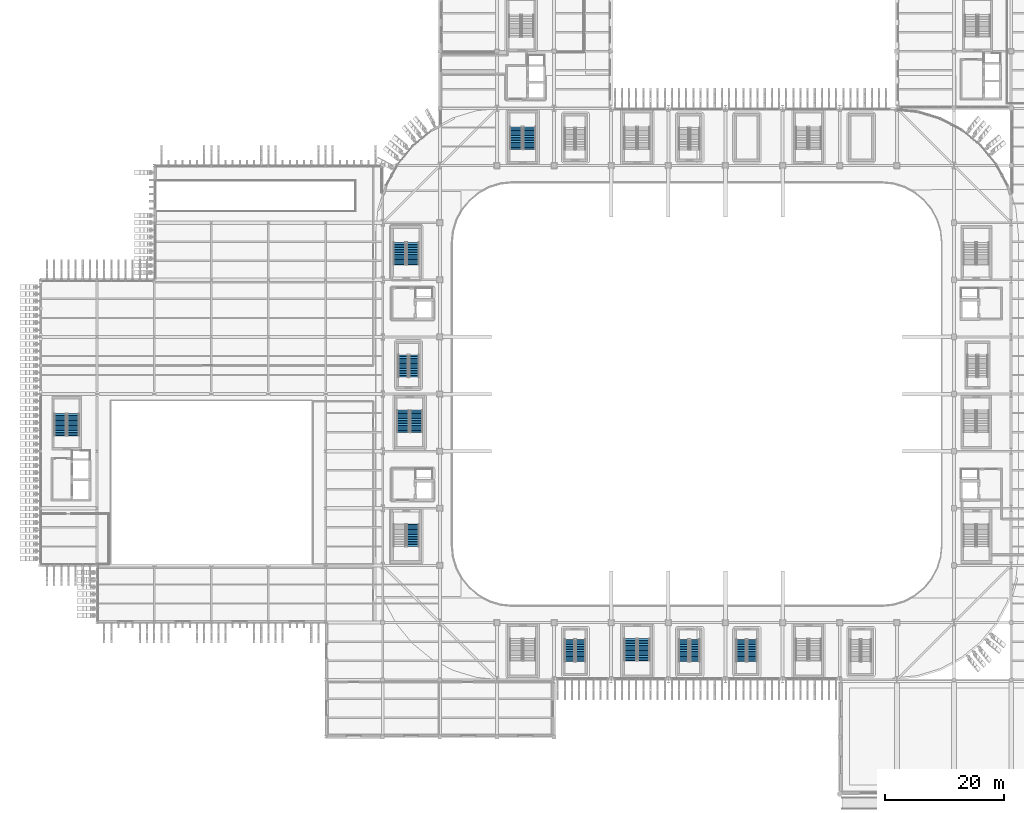
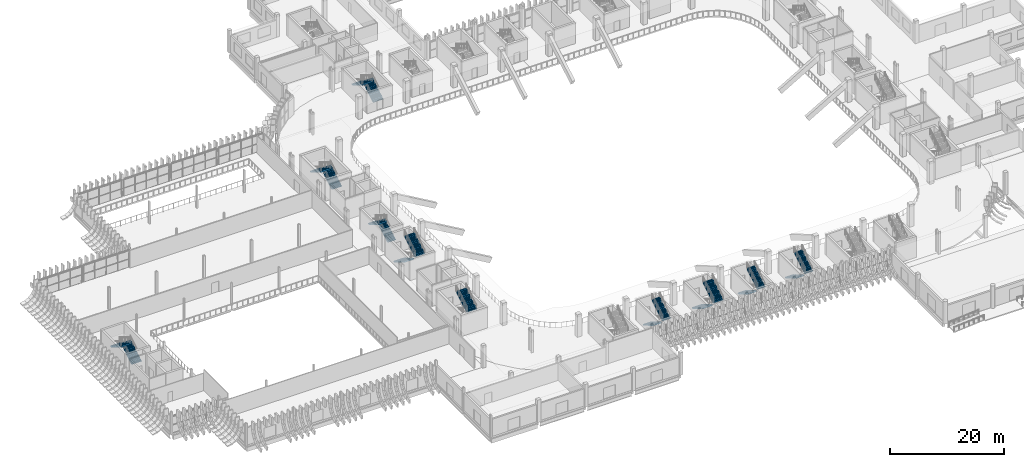
# One storey, part 61 of 100: 19 stair flights, 10 elements without a shape of their own.
"""IFC4 building model written with IfcOpenShell, lengths in metres."""

import ifcopenshell
import ifcopenshell.guid

model = None  # the IFC model being written
_history = None  # IfcOwnerHistory: only IFC2X3 demands one
_inside = {}  # id of a spatial element -> (the spatial element, [elements in it])
_under = {}  # id of a project, library or spatial element -> (it, [spatial elements below it])
_declared = {}  # id of a project -> (the project, [libraries it declares])
_typed = {}  # id of a type object -> (the type object, [elements of that type])
_made_of = {}  # id of a material, layer set ... -> (it, [elements and type objects made of it])


def new_model(schema):
    """Start an empty IFC model of exactly this schema.

    Asked for "IFC4X3", IfcOpenShell would pick the latest addendum, in which some entities
    have other attributes; the version numbers below select the first issue.
    IFC2X3 requires an IfcOwnerHistory on every rooted entity: one is made here for all.
    """
    global model, _history
    if schema == "IFC4X3":
        model = ifcopenshell.file(schema_version=(4, 3, 0, 0))
    else:
        model = ifcopenshell.file(schema=schema)
    _inside.clear()
    _under.clear()
    _declared.clear()
    _typed.clear()
    _made_of.clear()
    _history = None
    if model.schema == "IFC2X3":
        org = make("IfcOrganization", Name="unknown")
        user = make(
            "IfcPersonAndOrganization",
            ThePerson=make("IfcPerson", FamilyName="unknown"),
            TheOrganization=org,
        )
        app = make(
            "IfcApplication",
            ApplicationDeveloper=org,
            Version="unknown",
            ApplicationFullName="unknown",
            ApplicationIdentifier="unknown",
        )
        _history = make(
            "IfcOwnerHistory",
            OwningUser=user,
            OwningApplication=app,
            ChangeAction="ADDED",
            CreationDate=0,
        )
    return model


def make(cls, **values):
    """One entity of the class cls with the attributes given. An attribute that is None is left unset."""
    return model.create_entity(
        cls, **{name: value for name, value in values.items() if value is not None}
    )


def rooted(cls, **values):
    """An entity with a GlobalId (a new one), such as an element, a storey or a relation."""
    return make(cls, GlobalId=ifcopenshell.guid.new(), OwnerHistory=_history, **values)


def si_unit(unit_type, name, prefix=None):
    """IfcSIUnit, for example si_unit("LENGTHUNIT", "METRE", prefix="MILLI")."""
    return make("IfcSIUnit", UnitType=unit_type, Prefix=prefix, Name=name)


def assignment(units):
    """IfcUnitAssignment: the units of a project."""
    return None if units is None else make("IfcUnitAssignment", Units=units)


def point(xyz):
    """IfcCartesianPoint."""
    return None if xyz is None else make("IfcCartesianPoint", Coordinates=xyz)


def direction(xyz):
    """IfcDirection."""
    return None if xyz is None else make("IfcDirection", DirectionRatios=xyz)


def frame(location, z_axis=None, x_axis=None):
    """IfcAxis2Placement3D, a coordinate frame: its origin and axes. An axis left out is left unset."""
    return make(
        "IfcAxis2Placement3D",
        Location=point(location),
        Axis=direction(z_axis),
        RefDirection=direction(x_axis),
    )


def origin():
    """The frame at (0, 0, 0) with its axes left unset."""
    return frame((0.0, 0.0, 0.0))


def place(relative_to, where):
    """IfcLocalPlacement: puts the frame where relative to a parent placement (None: the world)."""
    return make(
        "IfcLocalPlacement", PlacementRelTo=relative_to, RelativePlacement=where
    )


def context(
    kind, dimensions, precision=None, world=None, true_north=None, identifier=None
):
    """IfcGeometricRepresentationContext, for example the 3D "Model" context."""
    return make(
        "IfcGeometricRepresentationContext",
        ContextIdentifier=identifier,
        ContextType=kind,
        CoordinateSpaceDimension=dimensions,
        Precision=precision,
        WorldCoordinateSystem=world,
        TrueNorth=true_north,
    )


def subcontext(parent, identifier, kind, view, scale=None):
    """IfcGeometricRepresentationSubContext, for example "Body" below "Model"."""
    return make(
        "IfcGeometricRepresentationSubContext",
        ContextIdentifier=identifier,
        ContextType=kind,
        ParentContext=parent,
        TargetScale=scale,
        TargetView=view,
    )


def project(units=None, contexts=None):
    """IfcProject with its units and contexts."""
    return rooted(
        "IfcProject",
        Name="project",
        RepresentationContexts=contexts,
        UnitsInContext=assignment(units),
    )


def spatial(cls, under=None, at=None, **own):
    """A site, building, storey or space (cls), placed at a placement, below another one or the project."""
    s = rooted(cls, ObjectPlacement=at, **own)
    if under is not None:
        _under.setdefault(under.id(), (under, []))[1].append(s)
    return s


def polyline(points):
    """IfcPolyline through the points."""
    return make("IfcPolyline", Points=[point(p) for p in points])


def outline(outer, holes=None, kind="AREA"):
    """IfcArbitraryClosedProfileDef: a profile drawn as a closed curve; with holes, ...WithVoids."""
    if holes is None:
        return make("IfcArbitraryClosedProfileDef", ProfileType=kind, OuterCurve=outer)
    return make(
        "IfcArbitraryProfileDefWithVoids",
        ProfileType=kind,
        OuterCurve=outer,
        InnerCurves=holes,
    )


def extrude(swept, where, along, depth):
    """IfcExtrudedAreaSolid: the profile swept, set in the frame where, extruded along a direction by depth."""
    return make(
        "IfcExtrudedAreaSolid",
        SweptArea=swept,
        Position=where,
        ExtrudedDirection=direction(along),
        Depth=depth,
    )


def shape(context_of_items, identifier, shape_type, items):
    """IfcShapeRepresentation: the items that make up one representation, for example the "Body"."""
    return make(
        "IfcShapeRepresentation",
        ContextOfItems=context_of_items,
        RepresentationIdentifier=identifier,
        RepresentationType=shape_type,
        Items=items,
    )


def material(Name=None, Category=None):
    """IfcMaterial."""
    return make("IfcMaterial", Name=Name, Category=Category)


def made_of(thing, what):
    """Note that an element or type object is made of a material, layer set ...; save() writes the relation."""
    if what is not None:
        _made_of.setdefault(what.id(), (what, []))[1].append(thing)
    return thing


def type_object(cls, material=None, **own):
    """A type object (cls), such as IfcWallType, which elements share."""
    return made_of(rooted(cls, **own), material)


def element(
    cls,
    number,
    at=None,
    inside=None,
    cuts=None,
    type_object=None,
    material=None,
    context=None,
    identifier="Body",
    shape_type=None,
    held_by="IfcProductDefinitionShape",
    body=None,
    shapes=None,
    **own,
):
    """One element of the class cls, such as IfcWall. Its Tag is "e" and its number.

    at: its placement. inside: the storey or other place that contains it. cuts: it is an
    opening in that element (IfcRelVoidsElement). A single representation is given by context,
    identifier, shape_type and body (its items); several are given by shapes. held_by: the class
    of the entity that holds the representations. save() writes the other relations.
    """
    e = rooted(cls, Tag="e%d" % number, ObjectPlacement=at, **own)
    if body is not None:
        shapes = [shape(context, identifier, shape_type, body)]
    if shapes is not None:
        e.Representation = make(held_by, Representations=shapes)
    if inside is not None:
        _inside.setdefault(inside.id(), (inside, []))[1].append(e)
    if cuts is not None:
        rooted(
            "IfcRelVoidsElement", RelatingBuildingElement=cuts, RelatedOpeningElement=e
        )
    if type_object is not None:
        _typed.setdefault(type_object.id(), (type_object, []))[1].append(e)
    return made_of(e, material)


def aggregate(whole, parts):
    """IfcRelAggregates: a whole, such as a stair, and the parts it consists of."""
    return rooted("IfcRelAggregates", RelatingObject=whole, RelatedObjects=parts)


def save(model, path):
    """Write the relations noted so far, then the file.

    IfcRelAggregates (storeys below a building ...), IfcRelContainedInSpatialStructure (elements
    in a storey), IfcRelDefinesByType, IfcRelAssociatesMaterial and IfcRelDeclares: one each for
    every whole, place, type object, material and project.
    """
    for whole, parts in _under.values():
        aggregate(whole, parts)
    for where, things in _inside.values():
        rooted(
            "IfcRelContainedInSpatialStructure",
            RelatedElements=things,
            RelatingStructure=where,
        )
    for kind, things in _typed.values():
        rooted("IfcRelDefinesByType", RelatedObjects=things, RelatingType=kind)
    for what, things in _made_of.values():
        rooted("IfcRelAssociatesMaterial", RelatedObjects=things, RelatingMaterial=what)
    for by, libraries in _declared.values():
        rooted("IfcRelDeclares", RelatingContext=by, RelatedDefinitions=libraries)
    model.write(path)


model = new_model("IFC4")

# Units and contexts
model_context = context("Model", 3, precision=1e-05, world=origin(), true_north=direction((0.0, 1.0)))
body_context = subcontext(model_context, "Body", "Model", "MODEL_VIEW")
ifc_project = project(units=[si_unit("LENGTHUNIT", "METRE"), si_unit("AREAUNIT", "SQUARE_METRE"), si_unit("VOLUMEUNIT", "CUBIC_METRE"), si_unit("PLANEANGLEUNIT", "RADIAN"), si_unit("MASSUNIT", "GRAM", prefix="KILO")], contexts=[model_context])

# Site, building, storey
site_placement = place(None, origin())
site = spatial("IfcSite", under=ifc_project, at=site_placement, CompositionType="ELEMENT")
building_placement = place(site_placement, origin())
building = spatial("IfcBuilding", under=site, at=building_placement, Name="Caelomonte Colonnade Arena", CompositionType="ELEMENT")
storey_placement = place(building_placement, origin())
storey = spatial("IfcBuildingStorey", under=building, at=storey_placement, Name="L00", CompositionType="ELEMENT", Elevation=0.0)

# Stair, stair flights
ifc_material_1 = material(Name="Concrete C40/50", Category="concrete")
stair_type_1 = type_object("IfcStairType", Name="INT-ST-CORE48", PredefinedType="HALF_TURN_STAIR", material=ifc_material_1)
stair_1_placement = place(storey_placement, origin())
stair_1 = element("IfcStair", 1, at=stair_1_placement, inside=storey, type_object=stair_type_1, Name="L00 Protected exit stair ST-09", PredefinedType="HALF_TURN_STAIR")
stair_flight_type_1 = type_object("IfcStairFlightType", Name="INT-SF-CORE48", PredefinedType="STRAIGHT", material=ifc_material_1)
stair_flight_1_placement = place(storey_placement, frame((61.02490234375, 64.5, 0.0), z_axis=(0.0, 0.0, 1.0), x_axis=(0.0, -1.0, 0.0)))
stair_flight_1 = element("IfcStairFlight", 2, at=stair_flight_1_placement, type_object=stair_flight_type_1, Name="ST-09 flight 1", NumberOfRisers=14, NumberOfTreads=13, PredefinedType="STRAIGHT", RiserHeight=0.171428571, TreadLength=0.285, context=body_context, shape_type="SweptSolid", body=[
    extrude(outline(polyline([(-0.02490234375, 0.0), (-0.02490234375, 0.102783203125), (0.0, 0.102783203125), (0.0, 0.17138671875), (0.284912109375, 0.17138671875), (0.284912109375, 0.3427734375), (0.570068359375, 0.3427734375), (0.570068359375, 0.514404296875), (0.85498046875, 0.514404296875), (0.85498046875, 0.685791015625), (1.139892578125, 0.685791015625), (1.139892578125, 0.857177734375), (1.425048828125, 0.857177734375), (1.425048828125, 1.028564453125), (1.7099609375, 1.028564453125), (1.7099609375, 1.199951171875), (1.9951171875, 1.199951171875), (1.9951171875, 1.371337890625), (2.280029296875, 1.371337890625), (2.280029296875, 1.54296875), (2.56494140625, 1.54296875), (2.56494140625, 1.71435546875), (2.85009765625, 1.71435546875), (2.85009765625, 1.8857421875), (3.135009765625, 1.8857421875), (3.135009765625, 2.05712890625), (3.419921875, 2.05712890625), (3.419921875, 2.228515625), (3.705078125, 2.228515625), (3.705078125, 2.39990234375), (3.72998046875, 2.39990234375), (3.72998046875, 2.0537109375), (0.290771484375, 0.0), (-0.02490234375, 0.0)])), frame((0.0, 1.02490234375, 0.0), z_axis=(0.0, -1.0, 0.0), x_axis=(1.0, 0.0, 0.0)), (0.0, 0.0, 1.0), 2.050048828125),
])
stair_flight_2_placement = place(storey_placement, frame((63.27490234375, 60.794921875, 2.39990234375), z_axis=(0.0, 0.0, 1.0), x_axis=(0.0, 1.0, 0.0)))
stair_flight_2 = element("IfcStairFlight", 3, at=stair_flight_2_placement, type_object=stair_flight_type_1, Name="ST-09 flight 2", NumberOfRisers=14, NumberOfTreads=13, PredefinedType="STRAIGHT", RiserHeight=0.171428571, TreadLength=0.285, context=body_context, shape_type="SweptSolid", body=[
    extrude(outline(polyline([(-0.02490234375, 0.0), (-0.02490234375, 0.102783203125), (0.0, 0.102783203125), (0.0, 0.17138671875), (0.284912109375, 0.17138671875), (0.284912109375, 0.3427734375), (0.570068359375, 0.3427734375), (0.570068359375, 0.514404296875), (0.85498046875, 0.514404296875), (0.85498046875, 0.685791015625), (1.139892578125, 0.685791015625), (1.139892578125, 0.857177734375), (1.425048828125, 0.857177734375), (1.425048828125, 1.028564453125), (1.7099609375, 1.028564453125), (1.7099609375, 1.199951171875), (1.9951171875, 1.199951171875), (1.9951171875, 1.371337890625), (2.280029296875, 1.371337890625), (2.280029296875, 1.54296875), (2.56494140625, 1.54296875), (2.56494140625, 1.71435546875), (2.85009765625, 1.71435546875), (2.85009765625, 1.8857421875), (3.135009765625, 1.8857421875), (3.135009765625, 2.05712890625), (3.419921875, 2.05712890625), (3.419921875, 2.228515625), (3.705078125, 2.228515625), (3.705078125, 2.39990234375), (3.72998046875, 2.39990234375), (3.72998046875, 2.0537109375), (0.290771484375, 0.0), (-0.02490234375, 0.0)])), frame((0.0, 1.02490234375, 0.0), z_axis=(0.0, -1.0, 0.0), x_axis=(1.0, 0.0, 0.0)), (0.0, 0.0, 1.0), 2.050048828125),
])
aggregate(stair_1, [stair_flight_1, stair_flight_2])

stair_2_placement = place(storey_placement, origin())
stair_2 = element("IfcStair", 4, at=stair_2_placement, inside=storey, type_object=stair_type_1, Name="L00 Protected exit stair ST-12", PredefinedType="HALF_TURN_STAIR")
stair_flight_3_placement = place(storey_placement, frame((99.22509765625, 26.10009765625, 0.0), z_axis=(0.0, 0.0, 1.0), x_axis=(0.0, -1.0, 0.0)))
stair_flight_3 = element("IfcStairFlight", 5, at=stair_flight_3_placement, type_object=stair_flight_type_1, Name="ST-12 flight 1", NumberOfRisers=14, NumberOfTreads=13, PredefinedType="STRAIGHT", RiserHeight=0.171428571, TreadLength=0.285, context=body_context, shape_type="SweptSolid", body=[
    extrude(outline(polyline([(-0.02490234375, 0.0), (-0.02490234375, 0.102783203125), (0.0, 0.102783203125), (0.0, 0.17138671875), (0.284912109375, 0.17138671875), (0.284912109375, 0.3427734375), (0.570068359375, 0.3427734375), (0.570068359375, 0.514404296875), (0.85498046875, 0.514404296875), (0.85498046875, 0.685791015625), (1.139892578125, 0.685791015625), (1.139892578125, 0.857177734375), (1.425048828125, 0.857177734375), (1.425048828125, 1.028564453125), (1.7099609375, 1.028564453125), (1.7099609375, 1.199951171875), (1.9951171875, 1.199951171875), (1.9951171875, 1.371337890625), (2.280029296875, 1.371337890625), (2.280029296875, 1.54296875), (2.56494140625, 1.54296875), (2.56494140625, 1.71435546875), (2.85009765625, 1.71435546875), (2.85009765625, 1.8857421875), (3.135009765625, 1.8857421875), (3.135009765625, 2.05712890625), (3.419921875, 2.05712890625), (3.419921875, 2.228515625), (3.705078125, 2.228515625), (3.705078125, 2.39990234375), (3.72998046875, 2.39990234375), (3.72998046875, 2.0537109375), (0.290771484375, 0.0), (-0.02490234375, 0.0)])), frame((0.0, 1.02490234375, 0.0), z_axis=(0.0, -1.0, 0.0), x_axis=(1.0, 0.0, 0.0)), (0.0, 0.0, 1.0), 2.050048828125),
])
stair_flight_4_placement = place(storey_placement, frame((101.47509765625, 22.39501953125, 2.39990234375), z_axis=(0.0, 0.0, 1.0), x_axis=(0.0, 1.0, 0.0)))
stair_flight_4 = element("IfcStairFlight", 6, at=stair_flight_4_placement, type_object=stair_flight_type_1, Name="ST-12 flight 2", NumberOfRisers=14, NumberOfTreads=13, PredefinedType="STRAIGHT", RiserHeight=0.171428571, TreadLength=0.285, context=body_context, shape_type="SweptSolid", body=[
    extrude(outline(polyline([(-0.02490234375, 0.0), (-0.02490234375, 0.102783203125), (0.0, 0.102783203125), (0.0, 0.17138671875), (0.284912109375, 0.17138671875), (0.284912109375, 0.3427734375), (0.570068359375, 0.3427734375), (0.570068359375, 0.514404296875), (0.85498046875, 0.514404296875), (0.85498046875, 0.685791015625), (1.139892578125, 0.685791015625), (1.139892578125, 0.857177734375), (1.425048828125, 0.857177734375), (1.425048828125, 1.028564453125), (1.7099609375, 1.028564453125), (1.7099609375, 1.199951171875), (1.9951171875, 1.199951171875), (1.9951171875, 1.371337890625), (2.280029296875, 1.371337890625), (2.280029296875, 1.54296875), (2.56494140625, 1.54296875), (2.56494140625, 1.71435546875), (2.85009765625, 1.71435546875), (2.85009765625, 1.8857421875), (3.135009765625, 1.8857421875), (3.135009765625, 2.05712890625), (3.419921875, 2.05712890625), (3.419921875, 2.228515625), (3.705078125, 2.228515625), (3.705078125, 2.39990234375), (3.72998046875, 2.39990234375), (3.72998046875, 2.0537109375), (0.290771484375, 0.0), (-0.02490234375, 0.0)])), frame((0.0, 1.02490234375, 0.0), z_axis=(0.0, -1.0, 0.0), x_axis=(1.0, 0.0, 0.0)), (0.0, 0.0, 1.0), 2.050048828125),
])
aggregate(stair_2, [stair_flight_3, stair_flight_4])

stair_3_placement = place(storey_placement, origin())
stair_3 = element("IfcStair", 7, at=stair_3_placement, inside=storey, type_object=stair_type_1, Name="L00 Protected exit stair ST-14", PredefinedType="HALF_TURN_STAIR")
stair_flight_5_placement = place(storey_placement, frame((82.27490234375, 108.35009765625, 0.0), z_axis=(0.0, 0.0, 1.0), x_axis=(0.0, 1.0, 0.0)))
stair_flight_5 = element("IfcStairFlight", 8, at=stair_flight_5_placement, type_object=stair_flight_type_1, Name="ST-14 flight 1", NumberOfRisers=14, NumberOfTreads=13, PredefinedType="STRAIGHT", RiserHeight=0.171428571, TreadLength=0.285, context=body_context, shape_type="SweptSolid", body=[
    extrude(outline(polyline([(-0.02490234375, 0.0), (-0.02490234375, 0.102783203125), (0.0, 0.102783203125), (0.0, 0.17138671875), (0.284912109375, 0.17138671875), (0.284912109375, 0.3427734375), (0.570068359375, 0.3427734375), (0.570068359375, 0.514404296875), (0.85498046875, 0.514404296875), (0.85498046875, 0.685791015625), (1.139892578125, 0.685791015625), (1.139892578125, 0.857177734375), (1.425048828125, 0.857177734375), (1.425048828125, 1.028564453125), (1.7099609375, 1.028564453125), (1.7099609375, 1.199951171875), (1.9951171875, 1.199951171875), (1.9951171875, 1.371337890625), (2.280029296875, 1.371337890625), (2.280029296875, 1.54296875), (2.56494140625, 1.54296875), (2.56494140625, 1.71435546875), (2.85009765625, 1.71435546875), (2.85009765625, 1.8857421875), (3.135009765625, 1.8857421875), (3.135009765625, 2.05712890625), (3.419921875, 2.05712890625), (3.419921875, 2.228515625), (3.705078125, 2.228515625), (3.705078125, 2.39990234375), (3.72998046875, 2.39990234375), (3.72998046875, 2.0537109375), (0.290771484375, 0.0), (-0.02490234375, 0.0)])), frame((0.0, 1.02490234375, 0.0), z_axis=(0.0, -1.0, 0.0), x_axis=(1.0, 0.0, 0.0)), (0.0, 0.0, 1.0), 2.050048828125),
])
stair_flight_6_placement = place(storey_placement, frame((80.02490234375, 112.054931640625, 2.39990234375), z_axis=(0.0, 0.0, 1.0), x_axis=(0.0, -1.0, 0.0)))
stair_flight_6 = element("IfcStairFlight", 9, at=stair_flight_6_placement, type_object=stair_flight_type_1, Name="ST-14 flight 2", NumberOfRisers=14, NumberOfTreads=13, PredefinedType="STRAIGHT", RiserHeight=0.171428571, TreadLength=0.285, context=body_context, shape_type="SweptSolid", body=[
    extrude(outline(polyline([(-0.02490234375, 0.0), (-0.02490234375, 0.102783203125), (0.0, 0.102783203125), (0.0, 0.17138671875), (0.284912109375, 0.17138671875), (0.284912109375, 0.3427734375), (0.570068359375, 0.3427734375), (0.570068359375, 0.514404296875), (0.85498046875, 0.514404296875), (0.85498046875, 0.685791015625), (1.139892578125, 0.685791015625), (1.139892578125, 0.857177734375), (1.425048828125, 0.857177734375), (1.425048828125, 1.028564453125), (1.7099609375, 1.028564453125), (1.7099609375, 1.199951171875), (1.9951171875, 1.199951171875), (1.9951171875, 1.371337890625), (2.280029296875, 1.371337890625), (2.280029296875, 1.54296875), (2.56494140625, 1.54296875), (2.56494140625, 1.71435546875), (2.85009765625, 1.71435546875), (2.85009765625, 1.8857421875), (3.135009765625, 1.8857421875), (3.135009765625, 2.05712890625), (3.419921875, 2.05712890625), (3.419921875, 2.228515625), (3.705078125, 2.228515625), (3.705078125, 2.39990234375), (3.72998046875, 2.39990234375), (3.72998046875, 2.0537109375), (0.290771484375, 0.0), (-0.02490234375, 0.0)])), frame((0.0, 1.02490234375, 0.0), z_axis=(0.0, -1.0, 0.0), x_axis=(1.0, 0.0, 0.0)), (0.0, 0.0, 1.0), 2.050048828125),
])
aggregate(stair_3, [stair_flight_5, stair_flight_6])

ifc_material_2 = material(Name="Precast concrete C40/50", Category="concrete")
stair_type_2 = type_object("IfcStairType", Name="INT-ST-VOML", PredefinedType="HALF_TURN_STAIR", material=ifc_material_2)
stair_4_placement = place(storey_placement, origin())
stair_4 = element("IfcStair", 10, at=stair_4_placement, inside=storey, type_object=stair_type_2, Name="L00 Vomitory VOM-01 aisle stair ST-V01", PredefinedType="HALF_TURN_STAIR")
stair_flight_type_2 = type_object("IfcStairFlightType", Name="INT-SF-VOML", PredefinedType="STRAIGHT", material=ifc_material_2)
stair_flight_7_placement = place(storey_placement, frame((89.02490234375, 25.949951171875, 0.0), z_axis=(0.0, 0.0, 1.0), x_axis=(0.0, -1.0, 0.0)))
stair_flight_7 = element("IfcStairFlight", 11, at=stair_flight_7_placement, type_object=stair_flight_type_2, Name="ST-V01 flight 1", NumberOfRisers=14, NumberOfTreads=13, PredefinedType="STRAIGHT", RiserHeight=0.171428571, TreadLength=0.285, context=body_context, shape_type="SweptSolid", body=[
    extrude(outline(polyline([(-0.02490234375, 0.0), (-0.02490234375, 0.102783203125), (0.0, 0.102783203125), (0.0, 0.17138671875), (0.284912109375, 0.17138671875), (0.284912109375, 0.3427734375), (0.570068359375, 0.3427734375), (0.570068359375, 0.514404296875), (0.85498046875, 0.514404296875), (0.85498046875, 0.685791015625), (1.139892578125, 0.685791015625), (1.139892578125, 0.857177734375), (1.425048828125, 0.857177734375), (1.425048828125, 1.028564453125), (1.7099609375, 1.028564453125), (1.7099609375, 1.199951171875), (1.9951171875, 1.199951171875), (1.9951171875, 1.371337890625), (2.280029296875, 1.371337890625), (2.280029296875, 1.54296875), (2.56494140625, 1.54296875), (2.56494140625, 1.71435546875), (2.85009765625, 1.71435546875), (2.85009765625, 1.8857421875), (3.135009765625, 1.8857421875), (3.135009765625, 2.05712890625), (3.419921875, 2.05712890625), (3.419921875, 2.228515625), (3.705078125, 2.228515625), (3.705078125, 2.39990234375), (3.72998046875, 2.39990234375), (3.72998046875, 2.0537109375), (0.290771484375, 0.0), (-0.02490234375, 0.0)])), frame((0.0, 0.824951171875, 0.0), z_axis=(0.0, -1.0, 0.0), x_axis=(1.0, 0.0, 0.0)), (0.0, 0.0, 1.0), 1.64990234375),
])
stair_flight_8_placement = place(storey_placement, frame((90.875, 22.2451171875, 2.39990234375), z_axis=(0.0, 0.0, 1.0), x_axis=(0.0, 1.0, 0.0)))
stair_flight_8 = element("IfcStairFlight", 12, at=stair_flight_8_placement, type_object=stair_flight_type_2, Name="ST-V01 flight 2", NumberOfRisers=14, NumberOfTreads=13, PredefinedType="STRAIGHT", RiserHeight=0.171428571, TreadLength=0.285, context=body_context, shape_type="SweptSolid", body=[
    extrude(outline(polyline([(-0.02490234375, 0.0), (-0.02490234375, 0.102783203125), (0.0, 0.102783203125), (0.0, 0.17138671875), (0.284912109375, 0.17138671875), (0.284912109375, 0.3427734375), (0.570068359375, 0.3427734375), (0.570068359375, 0.514404296875), (0.85498046875, 0.514404296875), (0.85498046875, 0.685791015625), (1.139892578125, 0.685791015625), (1.139892578125, 0.857177734375), (1.425048828125, 0.857177734375), (1.425048828125, 1.028564453125), (1.7099609375, 1.028564453125), (1.7099609375, 1.199951171875), (1.9951171875, 1.199951171875), (1.9951171875, 1.371337890625), (2.280029296875, 1.371337890625), (2.280029296875, 1.54296875), (2.56494140625, 1.54296875), (2.56494140625, 1.71435546875), (2.85009765625, 1.71435546875), (2.85009765625, 1.8857421875), (3.135009765625, 1.8857421875), (3.135009765625, 2.05712890625), (3.419921875, 2.05712890625), (3.419921875, 2.228515625), (3.705078125, 2.228515625), (3.705078125, 2.39990234375), (3.72998046875, 2.39990234375), (3.72998046875, 2.0537109375), (0.290771484375, 0.0), (-0.02490234375, 0.0)])), frame((0.0, 0.824951171875, 0.0), z_axis=(0.0, -1.0, 0.0), x_axis=(1.0, 0.0, 0.0)), (0.0, 0.0, 1.0), 1.64990234375),
])
aggregate(stair_4, [stair_flight_7, stair_flight_8])

stair_5_placement = place(storey_placement, origin())
stair_5 = element("IfcStair", 13, at=stair_5_placement, inside=storey, type_object=stair_type_2, Name="L00 Vomitory VOM-02 aisle stair ST-V02", PredefinedType="HALF_TURN_STAIR")
stair_flight_9_placement = place(storey_placement, frame((108.22509765625, 25.949951171875, 0.0), z_axis=(0.0, 0.0, 1.0), x_axis=(0.0, -1.0, 0.0)))
stair_flight_9 = element("IfcStairFlight", 14, at=stair_flight_9_placement, type_object=stair_flight_type_2, Name="ST-V02 flight 1", NumberOfRisers=14, NumberOfTreads=13, PredefinedType="STRAIGHT", RiserHeight=0.171428571, TreadLength=0.285, context=body_context, shape_type="SweptSolid", body=[
    extrude(outline(polyline([(-0.02490234375, 0.0), (-0.02490234375, 0.102783203125), (0.0, 0.102783203125), (0.0, 0.17138671875), (0.284912109375, 0.17138671875), (0.284912109375, 0.3427734375), (0.570068359375, 0.3427734375), (0.570068359375, 0.514404296875), (0.85498046875, 0.514404296875), (0.85498046875, 0.685791015625), (1.139892578125, 0.685791015625), (1.139892578125, 0.857177734375), (1.425048828125, 0.857177734375), (1.425048828125, 1.028564453125), (1.7099609375, 1.028564453125), (1.7099609375, 1.199951171875), (1.9951171875, 1.199951171875), (1.9951171875, 1.371337890625), (2.280029296875, 1.371337890625), (2.280029296875, 1.54296875), (2.56494140625, 1.54296875), (2.56494140625, 1.71435546875), (2.85009765625, 1.71435546875), (2.85009765625, 1.8857421875), (3.135009765625, 1.8857421875), (3.135009765625, 2.05712890625), (3.419921875, 2.05712890625), (3.419921875, 2.228515625), (3.705078125, 2.228515625), (3.705078125, 2.39990234375), (3.72998046875, 2.39990234375), (3.72998046875, 2.0537109375), (0.290771484375, 0.0), (-0.02490234375, 0.0)])), frame((0.0, 0.824951171875, 0.0), z_axis=(0.0, -1.0, 0.0), x_axis=(1.0, 0.0, 0.0)), (0.0, 0.0, 1.0), 1.64990234375),
])
stair_flight_10_placement = place(storey_placement, frame((110.074951171875, 22.2451171875, 2.39990234375), z_axis=(0.0, 0.0, 1.0), x_axis=(0.0, 1.0, 0.0)))
stair_flight_10 = element("IfcStairFlight", 15, at=stair_flight_10_placement, type_object=stair_flight_type_2, Name="ST-V02 flight 2", NumberOfRisers=14, NumberOfTreads=13, PredefinedType="STRAIGHT", RiserHeight=0.171428571, TreadLength=0.285, context=body_context, shape_type="SweptSolid", body=[
    extrude(outline(polyline([(-0.02490234375, 0.0), (-0.02490234375, 0.102783203125), (0.0, 0.102783203125), (0.0, 0.17138671875), (0.284912109375, 0.17138671875), (0.284912109375, 0.3427734375), (0.570068359375, 0.3427734375), (0.570068359375, 0.514404296875), (0.85498046875, 0.514404296875), (0.85498046875, 0.685791015625), (1.139892578125, 0.685791015625), (1.139892578125, 0.857177734375), (1.425048828125, 0.857177734375), (1.425048828125, 1.028564453125), (1.7099609375, 1.028564453125), (1.7099609375, 1.199951171875), (1.9951171875, 1.199951171875), (1.9951171875, 1.371337890625), (2.280029296875, 1.371337890625), (2.280029296875, 1.54296875), (2.56494140625, 1.54296875), (2.56494140625, 1.71435546875), (2.85009765625, 1.71435546875), (2.85009765625, 1.8857421875), (3.135009765625, 1.8857421875), (3.135009765625, 2.05712890625), (3.419921875, 2.05712890625), (3.419921875, 2.228515625), (3.705078125, 2.228515625), (3.705078125, 2.39990234375), (3.72998046875, 2.39990234375), (3.72998046875, 2.0537109375), (0.290771484375, 0.0), (-0.02490234375, 0.0)])), frame((0.0, 0.824951171875, 0.0), z_axis=(0.0, -1.0, 0.0), x_axis=(1.0, 0.0, 0.0)), (0.0, 0.0, 1.0), 1.64990234375),
])
aggregate(stair_5, [stair_flight_9, stair_flight_10])

stair_6_placement = place(storey_placement, origin())
stair_6 = element("IfcStair", 16, at=stair_6_placement, inside=storey, type_object=stair_type_2, Name="L00 Vomitory VOM-03 aisle stair ST-V03", PredefinedType="HALF_TURN_STAIR")
stair_flight_11_placement = place(storey_placement, frame((117.824951171875, 25.949951171875, 0.0), z_axis=(0.0, 0.0, 1.0), x_axis=(0.0, -1.0, 0.0)))
stair_flight_11 = element("IfcStairFlight", 17, at=stair_flight_11_placement, type_object=stair_flight_type_2, Name="ST-V03 flight 1", NumberOfRisers=14, NumberOfTreads=13, PredefinedType="STRAIGHT", RiserHeight=0.171428571, TreadLength=0.285, context=body_context, shape_type="SweptSolid", body=[
    extrude(outline(polyline([(-0.02490234375, 0.0), (-0.02490234375, 0.102783203125), (0.0, 0.102783203125), (0.0, 0.17138671875), (0.284912109375, 0.17138671875), (0.284912109375, 0.3427734375), (0.570068359375, 0.3427734375), (0.570068359375, 0.514404296875), (0.85498046875, 0.514404296875), (0.85498046875, 0.685791015625), (1.139892578125, 0.685791015625), (1.139892578125, 0.857177734375), (1.425048828125, 0.857177734375), (1.425048828125, 1.028564453125), (1.7099609375, 1.028564453125), (1.7099609375, 1.199951171875), (1.9951171875, 1.199951171875), (1.9951171875, 1.371337890625), (2.280029296875, 1.371337890625), (2.280029296875, 1.54296875), (2.56494140625, 1.54296875), (2.56494140625, 1.71435546875), (2.85009765625, 1.71435546875), (2.85009765625, 1.8857421875), (3.135009765625, 1.8857421875), (3.135009765625, 2.05712890625), (3.419921875, 2.05712890625), (3.419921875, 2.228515625), (3.705078125, 2.228515625), (3.705078125, 2.39990234375), (3.72998046875, 2.39990234375), (3.72998046875, 2.0537109375), (0.290771484375, 0.0), (-0.02490234375, 0.0)])), frame((0.0, 0.824951171875, 0.0), z_axis=(0.0, -1.0, 0.0), x_axis=(1.0, 0.0, 0.0)), (0.0, 0.0, 1.0), 1.64990234375),
])
stair_flight_12_placement = place(storey_placement, frame((119.675048828125, 22.2451171875, 2.39990234375), z_axis=(0.0, 0.0, 1.0), x_axis=(0.0, 1.0, 0.0)))
stair_flight_12 = element("IfcStairFlight", 18, at=stair_flight_12_placement, type_object=stair_flight_type_2, Name="ST-V03 flight 2", NumberOfRisers=14, NumberOfTreads=13, PredefinedType="STRAIGHT", RiserHeight=0.171428571, TreadLength=0.285, context=body_context, shape_type="SweptSolid", body=[
    extrude(outline(polyline([(-0.02490234375, 0.0), (-0.02490234375, 0.102783203125), (0.0, 0.102783203125), (0.0, 0.17138671875), (0.284912109375, 0.17138671875), (0.284912109375, 0.3427734375), (0.570068359375, 0.3427734375), (0.570068359375, 0.514404296875), (0.85498046875, 0.514404296875), (0.85498046875, 0.685791015625), (1.139892578125, 0.685791015625), (1.139892578125, 0.857177734375), (1.425048828125, 0.857177734375), (1.425048828125, 1.028564453125), (1.7099609375, 1.028564453125), (1.7099609375, 1.199951171875), (1.9951171875, 1.199951171875), (1.9951171875, 1.371337890625), (2.280029296875, 1.371337890625), (2.280029296875, 1.54296875), (2.56494140625, 1.54296875), (2.56494140625, 1.71435546875), (2.85009765625, 1.71435546875), (2.85009765625, 1.8857421875), (3.135009765625, 1.8857421875), (3.135009765625, 2.05712890625), (3.419921875, 2.05712890625), (3.419921875, 2.228515625), (3.705078125, 2.228515625), (3.705078125, 2.39990234375), (3.72998046875, 2.39990234375), (3.72998046875, 2.0537109375), (0.290771484375, 0.0), (-0.02490234375, 0.0)])), frame((0.0, 0.824951171875, 0.0), z_axis=(0.0, -1.0, 0.0), x_axis=(1.0, 0.0, 0.0)), (0.0, 0.0, 1.0), 1.64990234375),
])
aggregate(stair_6, [stair_flight_11, stair_flight_12])

stair_7_placement = place(storey_placement, origin())
stair_7 = element("IfcStair", 19, at=stair_7_placement, inside=storey, type_object=stair_type_2, Name="L00 Vomitory VOM-07 aisle stair ST-V07", PredefinedType="HALF_TURN_STAIR")
stair_flight_13_placement = place(storey_placement, frame((62.875, 70.050048828125, 0.0), z_axis=(0.0, 0.0, 1.0), x_axis=(0.0, 1.0, 0.0)))
stair_flight_13 = element("IfcStairFlight", 20, at=stair_flight_13_placement, type_object=stair_flight_type_2, Name="ST-V07 flight 1", NumberOfRisers=14, NumberOfTreads=13, PredefinedType="STRAIGHT", RiserHeight=0.171428571, TreadLength=0.285, context=body_context, shape_type="SweptSolid", body=[
    extrude(outline(polyline([(-0.02490234375, 0.0), (-0.02490234375, 0.102783203125), (0.0, 0.102783203125), (0.0, 0.17138671875), (0.284912109375, 0.17138671875), (0.284912109375, 0.3427734375), (0.570068359375, 0.3427734375), (0.570068359375, 0.514404296875), (0.85498046875, 0.514404296875), (0.85498046875, 0.685791015625), (1.139892578125, 0.685791015625), (1.139892578125, 0.857177734375), (1.425048828125, 0.857177734375), (1.425048828125, 1.028564453125), (1.7099609375, 1.028564453125), (1.7099609375, 1.199951171875), (1.9951171875, 1.199951171875), (1.9951171875, 1.371337890625), (2.280029296875, 1.371337890625), (2.280029296875, 1.54296875), (2.56494140625, 1.54296875), (2.56494140625, 1.71435546875), (2.85009765625, 1.71435546875), (2.85009765625, 1.8857421875), (3.135009765625, 1.8857421875), (3.135009765625, 2.05712890625), (3.419921875, 2.05712890625), (3.419921875, 2.228515625), (3.705078125, 2.228515625), (3.705078125, 2.39990234375), (3.72998046875, 2.39990234375), (3.72998046875, 2.0537109375), (0.290771484375, 0.0), (-0.02490234375, 0.0)])), frame((0.0, 0.824951171875, 0.0), z_axis=(0.0, -1.0, 0.0), x_axis=(1.0, 0.0, 0.0)), (0.0, 0.0, 1.0), 1.64990234375),
])
stair_flight_14_placement = place(storey_placement, frame((61.02490234375, 73.7548828125, 2.39990234375), z_axis=(0.0, 0.0, 1.0), x_axis=(0.0, -1.0, 0.0)))
stair_flight_14 = element("IfcStairFlight", 21, at=stair_flight_14_placement, type_object=stair_flight_type_2, Name="ST-V07 flight 2", NumberOfRisers=14, NumberOfTreads=13, PredefinedType="STRAIGHT", RiserHeight=0.171428571, TreadLength=0.285, context=body_context, shape_type="SweptSolid", body=[
    extrude(outline(polyline([(-0.02490234375, 0.0), (-0.02490234375, 0.102783203125), (0.0, 0.102783203125), (0.0, 0.17138671875), (0.284912109375, 0.17138671875), (0.284912109375, 0.3427734375), (0.570068359375, 0.3427734375), (0.570068359375, 0.514404296875), (0.85498046875, 0.514404296875), (0.85498046875, 0.685791015625), (1.139892578125, 0.685791015625), (1.139892578125, 0.857177734375), (1.425048828125, 0.857177734375), (1.425048828125, 1.028564453125), (1.7099609375, 1.028564453125), (1.7099609375, 1.199951171875), (1.9951171875, 1.199951171875), (1.9951171875, 1.371337890625), (2.280029296875, 1.371337890625), (2.280029296875, 1.54296875), (2.56494140625, 1.54296875), (2.56494140625, 1.71435546875), (2.85009765625, 1.71435546875), (2.85009765625, 1.8857421875), (3.135009765625, 1.8857421875), (3.135009765625, 2.05712890625), (3.419921875, 2.05712890625), (3.419921875, 2.228515625), (3.705078125, 2.228515625), (3.705078125, 2.39990234375), (3.72998046875, 2.39990234375), (3.72998046875, 2.0537109375), (0.290771484375, 0.0), (-0.02490234375, 0.0)])), frame((0.0, 0.824951171875, 0.0), z_axis=(0.0, -1.0, 0.0), x_axis=(1.0, 0.0, 0.0)), (0.0, 0.0, 1.0), 1.64990234375),
])
aggregate(stair_7, [stair_flight_13, stair_flight_14])

# Stair, stair flight
stair_type_3 = type_object("IfcStairType", Name="INT-ST-WING48", PredefinedType="HALF_TURN_STAIR", material=ifc_material_1)
stair_8_placement = place(storey_placement, origin())
stair_8 = element("IfcStair", 22, at=stair_8_placement, inside=storey, type_object=stair_type_3, Name="L00 Core C1 exit stair ST-01", PredefinedType="HALF_TURN_STAIR")
stair_flight_type_3 = type_object("IfcStairFlightType", Name="INT-SF-WING48", PredefinedType="STRAIGHT", material=ifc_material_1)
stair_flight_15_placement = place(storey_placement, frame((62.675048828125, 41.594970703125, 2.39990234375), z_axis=(0.0, 0.0, 1.0), x_axis=(0.0, 1.0, 0.0)))
stair_flight_15 = element("IfcStairFlight", 23, at=stair_flight_15_placement, type_object=stair_flight_type_3, Name="ST-01 flight 2", NumberOfRisers=14, NumberOfTreads=13, PredefinedType="STRAIGHT", RiserHeight=0.171428571, TreadLength=0.285, context=body_context, shape_type="SweptSolid", body=[
    extrude(outline(polyline([(-0.02490234375, 0.0), (-0.02490234375, 0.102783203125), (0.0, 0.102783203125), (0.0, 0.17138671875), (0.284912109375, 0.17138671875), (0.284912109375, 0.3427734375), (0.570068359375, 0.3427734375), (0.570068359375, 0.514404296875), (0.85498046875, 0.514404296875), (0.85498046875, 0.685791015625), (1.139892578125, 0.685791015625), (1.139892578125, 0.857177734375), (1.425048828125, 0.857177734375), (1.425048828125, 1.028564453125), (1.7099609375, 1.028564453125), (1.7099609375, 1.199951171875), (1.9951171875, 1.199951171875), (1.9951171875, 1.371337890625), (2.280029296875, 1.371337890625), (2.280029296875, 1.54296875), (2.56494140625, 1.54296875), (2.56494140625, 1.71435546875), (2.85009765625, 1.71435546875), (2.85009765625, 1.8857421875), (3.135009765625, 1.8857421875), (3.135009765625, 2.05712890625), (3.419921875, 2.05712890625), (3.419921875, 2.228515625), (3.705078125, 2.228515625), (3.705078125, 2.39990234375), (3.72998046875, 2.39990234375), (3.72998046875, 2.0537109375), (0.290771484375, 0.0), (-0.02490234375, 0.0)])), frame((0.0, 1.02490234375, 0.0), z_axis=(0.0, -1.0, 0.0), x_axis=(1.0, 0.0, 0.0)), (0.0, 0.0, 1.0), 2.050048828125),
])
aggregate(stair_8, [stair_flight_15])

# Stair, stair flights
stair_9_placement = place(storey_placement, origin())
stair_9 = element("IfcStair", 24, at=stair_9_placement, inside=storey, type_object=stair_type_3, Name="L00 Core C4 exit stair ST-04", PredefinedType="HALF_TURN_STAIR")
stair_flight_16_placement = place(storey_placement, frame((62.675048828125, 88.949951171875, 0.0), z_axis=(0.0, 0.0, 1.0), x_axis=(0.0, 1.0, 0.0)))
stair_flight_16 = element("IfcStairFlight", 25, at=stair_flight_16_placement, type_object=stair_flight_type_3, Name="ST-04 flight 1", NumberOfRisers=14, NumberOfTreads=13, PredefinedType="STRAIGHT", RiserHeight=0.171428571, TreadLength=0.285, context=body_context, shape_type="SweptSolid", body=[
    extrude(outline(polyline([(-0.02490234375, 0.0), (-0.02490234375, 0.102783203125), (0.0, 0.102783203125), (0.0, 0.17138671875), (0.284912109375, 0.17138671875), (0.284912109375, 0.3427734375), (0.570068359375, 0.3427734375), (0.570068359375, 0.514404296875), (0.85498046875, 0.514404296875), (0.85498046875, 0.685791015625), (1.139892578125, 0.685791015625), (1.139892578125, 0.857177734375), (1.425048828125, 0.857177734375), (1.425048828125, 1.028564453125), (1.7099609375, 1.028564453125), (1.7099609375, 1.199951171875), (1.9951171875, 1.199951171875), (1.9951171875, 1.371337890625), (2.280029296875, 1.371337890625), (2.280029296875, 1.54296875), (2.56494140625, 1.54296875), (2.56494140625, 1.71435546875), (2.85009765625, 1.71435546875), (2.85009765625, 1.8857421875), (3.135009765625, 1.8857421875), (3.135009765625, 2.05712890625), (3.419921875, 2.05712890625), (3.419921875, 2.228515625), (3.705078125, 2.228515625), (3.705078125, 2.39990234375), (3.72998046875, 2.39990234375), (3.72998046875, 2.0537109375), (0.290771484375, 0.0), (-0.02490234375, 0.0)])), frame((0.0, 1.02490234375, 0.0), z_axis=(0.0, -1.0, 0.0), x_axis=(1.0, 0.0, 0.0)), (0.0, 0.0, 1.0), 2.050048828125),
])
stair_flight_17_placement = place(storey_placement, frame((60.425048828125, 92.655029296875, 2.39990234375), z_axis=(0.0, 0.0, 1.0), x_axis=(0.0, -1.0, 0.0)))
stair_flight_17 = element("IfcStairFlight", 26, at=stair_flight_17_placement, type_object=stair_flight_type_3, Name="ST-04 flight 2", NumberOfRisers=14, NumberOfTreads=13, PredefinedType="STRAIGHT", RiserHeight=0.171428571, TreadLength=0.285, context=body_context, shape_type="SweptSolid", body=[
    extrude(outline(polyline([(-0.02490234375, 0.0), (-0.02490234375, 0.102783203125), (0.0, 0.102783203125), (0.0, 0.17138671875), (0.284912109375, 0.17138671875), (0.284912109375, 0.3427734375), (0.570068359375, 0.3427734375), (0.570068359375, 0.514404296875), (0.85498046875, 0.514404296875), (0.85498046875, 0.685791015625), (1.139892578125, 0.685791015625), (1.139892578125, 0.857177734375), (1.425048828125, 0.857177734375), (1.425048828125, 1.028564453125), (1.7099609375, 1.028564453125), (1.7099609375, 1.199951171875), (1.9951171875, 1.199951171875), (1.9951171875, 1.371337890625), (2.280029296875, 1.371337890625), (2.280029296875, 1.54296875), (2.56494140625, 1.54296875), (2.56494140625, 1.71435546875), (2.85009765625, 1.71435546875), (2.85009765625, 1.8857421875), (3.135009765625, 1.8857421875), (3.135009765625, 2.05712890625), (3.419921875, 2.05712890625), (3.419921875, 2.228515625), (3.705078125, 2.228515625), (3.705078125, 2.39990234375), (3.72998046875, 2.39990234375), (3.72998046875, 2.0537109375), (0.290771484375, 0.0), (-0.02490234375, 0.0)])), frame((0.0, 1.02490234375, 0.0), z_axis=(0.0, -1.0, 0.0), x_axis=(1.0, 0.0, 0.0)), (0.0, 0.0, 1.0), 2.050048828125),
])
aggregate(stair_9, [stair_flight_16, stair_flight_17])

stair_10_placement = place(storey_placement, origin())
stair_10 = element("IfcStair", 27, at=stair_10_placement, inside=storey, type_object=stair_type_3, Name="L00 Core C8 exit stair ST-08", PredefinedType="HALF_TURN_STAIR")
stair_flight_18_placement = place(storey_placement, frame((5.60009765625, 60.199951171875, 0.0), z_axis=(0.0, 0.0, 1.0), x_axis=(0.0, 1.0, 0.0)))
stair_flight_18 = element("IfcStairFlight", 28, at=stair_flight_18_placement, type_object=stair_flight_type_3, Name="ST-08 flight 1", NumberOfRisers=14, NumberOfTreads=13, PredefinedType="STRAIGHT", RiserHeight=0.171428571, TreadLength=0.285, context=body_context, shape_type="SweptSolid", body=[
    extrude(outline(polyline([(-0.02490234375, 0.0), (-0.02490234375, 0.102783203125), (0.0, 0.102783203125), (0.0, 0.17138671875), (0.284912109375, 0.17138671875), (0.284912109375, 0.3427734375), (0.570068359375, 0.3427734375), (0.570068359375, 0.514404296875), (0.85498046875, 0.514404296875), (0.85498046875, 0.685791015625), (1.139892578125, 0.685791015625), (1.139892578125, 0.857177734375), (1.425048828125, 0.857177734375), (1.425048828125, 1.028564453125), (1.7099609375, 1.028564453125), (1.7099609375, 1.199951171875), (1.9951171875, 1.199951171875), (1.9951171875, 1.371337890625), (2.280029296875, 1.371337890625), (2.280029296875, 1.54296875), (2.56494140625, 1.54296875), (2.56494140625, 1.71435546875), (2.85009765625, 1.71435546875), (2.85009765625, 1.8857421875), (3.135009765625, 1.8857421875), (3.135009765625, 2.05712890625), (3.419921875, 2.05712890625), (3.419921875, 2.228515625), (3.705078125, 2.228515625), (3.705078125, 2.39990234375), (3.72998046875, 2.39990234375), (3.72998046875, 2.0537109375), (0.290771484375, 0.0), (-0.02490234375, 0.0)])), frame((0.0, 1.0, 0.0), z_axis=(0.0, -1.0, 0.0), x_axis=(1.0, 0.0, 0.0)), (0.0, 0.0, 1.0), 2.0),
])
stair_flight_19_placement = place(storey_placement, frame((3.39990234375, 63.905029296875, 2.39990234375), z_axis=(0.0, 0.0, 1.0), x_axis=(0.0, -1.0, 0.0)))
stair_flight_19 = element("IfcStairFlight", 29, at=stair_flight_19_placement, type_object=stair_flight_type_3, Name="ST-08 flight 2", NumberOfRisers=14, NumberOfTreads=13, PredefinedType="STRAIGHT", RiserHeight=0.171428571, TreadLength=0.285, context=body_context, shape_type="SweptSolid", body=[
    extrude(outline(polyline([(-0.02490234375, 0.0), (-0.02490234375, 0.102783203125), (0.0, 0.102783203125), (0.0, 0.17138671875), (0.284912109375, 0.17138671875), (0.284912109375, 0.3427734375), (0.570068359375, 0.3427734375), (0.570068359375, 0.514404296875), (0.85498046875, 0.514404296875), (0.85498046875, 0.685791015625), (1.139892578125, 0.685791015625), (1.139892578125, 0.857177734375), (1.425048828125, 0.857177734375), (1.425048828125, 1.028564453125), (1.7099609375, 1.028564453125), (1.7099609375, 1.199951171875), (1.9951171875, 1.199951171875), (1.9951171875, 1.371337890625), (2.280029296875, 1.371337890625), (2.280029296875, 1.54296875), (2.56494140625, 1.54296875), (2.56494140625, 1.71435546875), (2.85009765625, 1.71435546875), (2.85009765625, 1.8857421875), (3.135009765625, 1.8857421875), (3.135009765625, 2.05712890625), (3.419921875, 2.05712890625), (3.419921875, 2.228515625), (3.705078125, 2.228515625), (3.705078125, 2.39990234375), (3.72998046875, 2.39990234375), (3.72998046875, 2.0537109375), (0.290771484375, 0.0), (-0.02490234375, 0.0)])), frame((0.0, 1.0, 0.0), z_axis=(0.0, -1.0, 0.0), x_axis=(1.0, 0.0, 0.0)), (0.0, 0.0, 1.0), 2.0),
])
aggregate(stair_10, [stair_flight_18, stair_flight_19])

save(model, "model.ifc")
